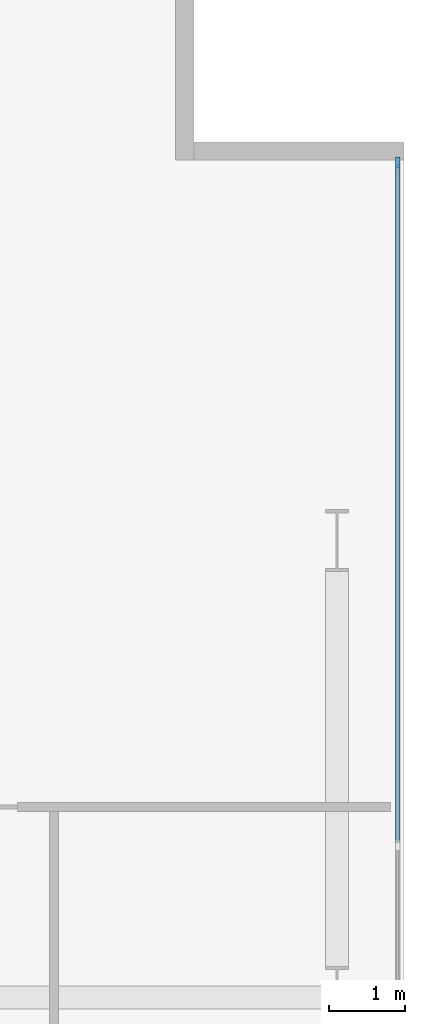
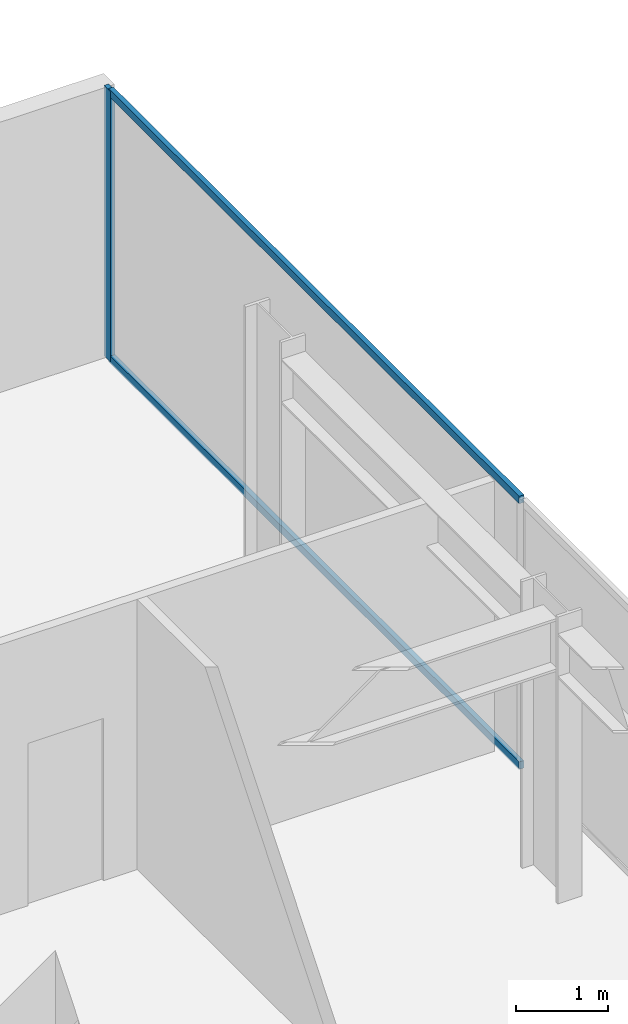
# One storey, part 15 of 23: 3 members, 1 element without a shape of its own.
"""IFC4 building model written with IfcOpenShell, lengths in metres."""

from ifc_helpers import new_model, si_unit, direction, frame, origin, origin_2d, place, context, subcontext, project, spatial, rectangle, extrude, material, layer, layer_set, material_profile, profile_set, type_object, element, aggregate, save


model = new_model("IFC4")

# Units and contexts
model_context = context("Model", 3, precision=1e-05, world=origin(), true_north=direction((0.0, 1.0)))
body_context = subcontext(model_context, "Body", "Model", "MODEL_VIEW")
ifc_project = project(units=[si_unit("LENGTHUNIT", "METRE"), si_unit("AREAUNIT", "SQUARE_METRE"), si_unit("VOLUMEUNIT", "CUBIC_METRE"), si_unit("PLANEANGLEUNIT", "RADIAN"), si_unit("MASSUNIT", "GRAM", prefix="KILO")], contexts=[model_context])

# Site, building, storey
site_placement = place(None, origin())
site = spatial("IfcSite", under=ifc_project, at=site_placement, CompositionType="ELEMENT")
building_placement = place(site_placement, origin())
building = spatial("IfcBuilding", under=site, at=building_placement, Name="Putna Gate Headquarters", CompositionType="ELEMENT")
storey_placement = place(building_placement, frame((0.0, 0.0, 225.199951171875)))
storey = spatial("IfcBuildingStorey", under=building, at=storey_placement, Name="L56", CompositionType="ELEMENT", Elevation=225.199951171875)

# Curtain wall, members
ifc_material_1 = material(Name="Anodised bronze aluminium curtain wall", Category="aluminium")
ifc_layer = layer(ifc_material_1, 0.139892578125)
ifc_layer_set = layer_set([ifc_layer], Name="Anodised bronze aluminium curtain wall")
curtain_wall_type = type_object("IfcCurtainWallType", Name="CW-SYS-Z4", PredefinedType="USERDEFINED", material=ifc_layer_set)
curtain_wall_placement = place(storey_placement, origin())
curtain_wall = element("IfcCurtainWall", 1, at=curtain_wall_placement, inside=storey, type_object=curtain_wall_type, Name="L56 East Curtain Wall", ObjectType="STICK CURTAIN WALL", PredefinedType="USERDEFINED")
ifc_material_2 = material(Name="Anodised bronze aluminium EN AW-6060", Category="aluminium")
ifc_material_profile_1 = material_profile(ifc_material_2, rectangle(XDim=0.06005859375, YDim=0.139892578125, at=origin_2d()), Name="Anodised bronze aluminium EN AW-6060")
ifc_profile_set_1 = profile_set([ifc_material_profile_1], Name="Anodised bronze aluminium EN AW-6060")
member_type_1 = type_object("IfcMemberType", Name="MULL-CWM-4", PredefinedType="MULLION", material=ifc_profile_set_1)
member_1_placement = place(storey_placement, frame((72.1201171875, 43.969970703125, 0.0), z_axis=(0.0, 0.0, 1.0), x_axis=(-1.0, 0.0, 0.0)))
member_1 = element("IfcMember", 2, at=member_1_placement, type_object=member_type_1, Name="CWS-4 mullion 5", PredefinedType="MULLION", context=body_context, shape_type="SweptSolid", body=[
    extrude(rectangle(XDim=0.06005859375, YDim=0.139892578125, at=origin_2d()), origin(), (0.0, 0.0, 1.0), 3.580078125),
])
ifc_material_profile_2 = material_profile(ifc_material_2, rectangle(XDim=0.06005859375, YDim=0.10009765625, at=origin_2d()), Name="Anodised bronze aluminium EN AW-6060")
ifc_profile_set_2 = profile_set([ifc_material_profile_2], Name="Anodised bronze aluminium EN AW-6060")
member_type_2 = type_object("IfcMemberType", Name="TRAN-CWT-4", PredefinedType="USERDEFINED", material=ifc_profile_set_2)
member_2_placement = place(storey_placement, frame((72.1201171875, 35.030029296875, 0.030029296875), z_axis=(0.0, 1.0, 0.0), x_axis=(-1.0, 0.0, 0.0)))
member_2 = element("IfcMember", 3, at=member_2_placement, type_object=member_type_2, Name="CWS-4 transom 4.1", ObjectType="TRANSOM", PredefinedType="USERDEFINED", context=body_context, shape_type="SweptSolid", body=[
    extrude(rectangle(XDim=0.06005859375, YDim=0.10009765625, at=origin_2d()), origin(), (0.0, 0.0, 1.0), 8.909912109375),
])
member_3_placement = place(storey_placement, frame((72.1201171875, 35.030029296875, 3.550048828125), z_axis=(0.0, 1.0, 0.0), x_axis=(-1.0, 0.0, 0.0)))
member_3 = element("IfcMember", 4, at=member_3_placement, type_object=member_type_2, Name="CWS-4 transom 4.2", ObjectType="TRANSOM", PredefinedType="USERDEFINED", context=body_context, shape_type="SweptSolid", body=[
    extrude(rectangle(XDim=0.06005859375, YDim=0.10009765625, at=origin_2d()), origin(), (0.0, 0.0, 1.0), 8.909912109375),
])
aggregate(curtain_wall, [member_1, member_2, member_3])

save(model, "model.ifc")
